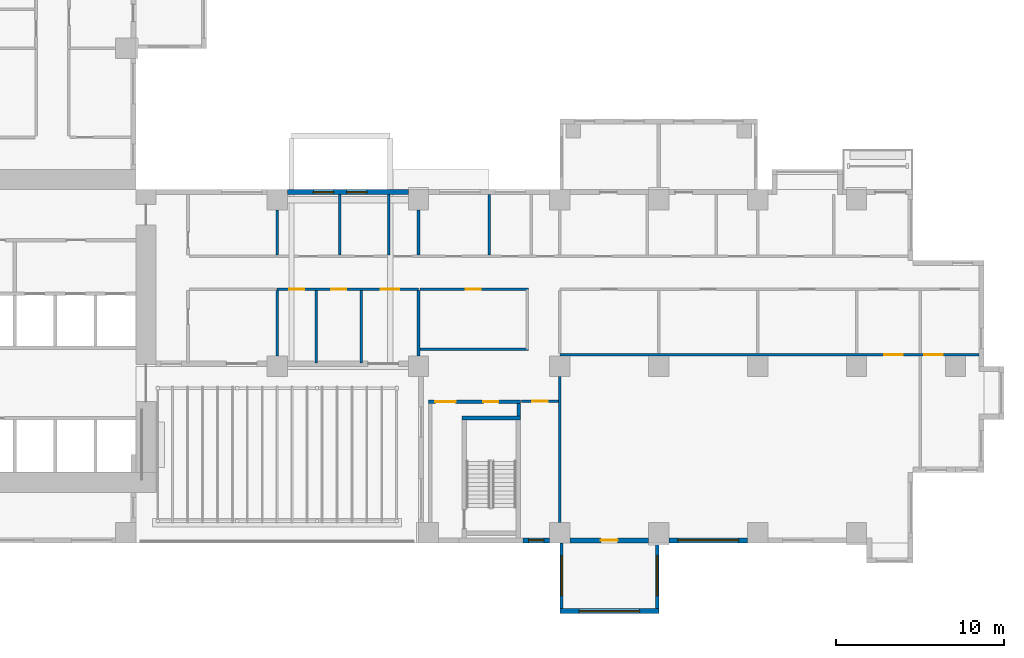
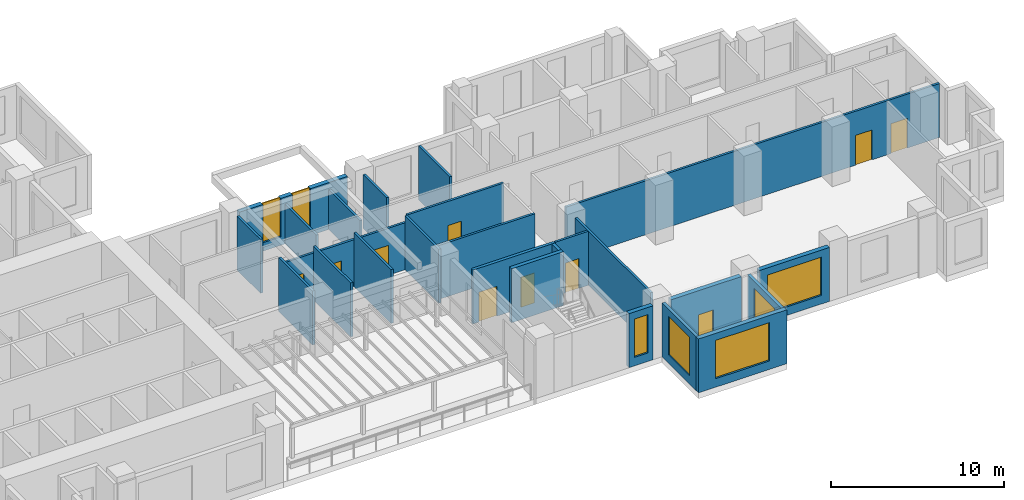
# One storey, part 6 of 17: 25 walls, 10 doors, 7 windows, 17 openings.
"""IFC4 building model written with IfcOpenShell, lengths in metres."""

import ifcopenshell
import ifcopenshell.guid

model = None  # the IFC model being written
_history = None  # IfcOwnerHistory: only IFC2X3 demands one
_inside = {}  # id of a spatial element -> (the spatial element, [elements in it])
_under = {}  # id of a project, library or spatial element -> (it, [spatial elements below it])
_declared = {}  # id of a project -> (the project, [libraries it declares])
_typed = {}  # id of a type object -> (the type object, [elements of that type])
_made_of = {}  # id of a material, layer set ... -> (it, [elements and type objects made of it])


def new_model(schema):
    """Start an empty IFC model of exactly this schema.

    Asked for "IFC4X3", IfcOpenShell would pick the latest addendum, in which some entities
    have other attributes; the version numbers below select the first issue.
    IFC2X3 requires an IfcOwnerHistory on every rooted entity: one is made here for all.
    """
    global model, _history
    if schema == "IFC4X3":
        model = ifcopenshell.file(schema_version=(4, 3, 0, 0))
    else:
        model = ifcopenshell.file(schema=schema)
    _inside.clear()
    _under.clear()
    _declared.clear()
    _typed.clear()
    _made_of.clear()
    _history = None
    if model.schema == "IFC2X3":
        org = make("IfcOrganization", Name="unknown")
        user = make(
            "IfcPersonAndOrganization",
            ThePerson=make("IfcPerson", FamilyName="unknown"),
            TheOrganization=org,
        )
        app = make(
            "IfcApplication",
            ApplicationDeveloper=org,
            Version="unknown",
            ApplicationFullName="unknown",
            ApplicationIdentifier="unknown",
        )
        _history = make(
            "IfcOwnerHistory",
            OwningUser=user,
            OwningApplication=app,
            ChangeAction="ADDED",
            CreationDate=0,
        )
    return model


def make(cls, **values):
    """One entity of the class cls with the attributes given. An attribute that is None is left unset."""
    return model.create_entity(
        cls, **{name: value for name, value in values.items() if value is not None}
    )


def rooted(cls, **values):
    """An entity with a GlobalId (a new one), such as an element, a storey or a relation."""
    return make(cls, GlobalId=ifcopenshell.guid.new(), OwnerHistory=_history, **values)


def si_unit(unit_type, name, prefix=None):
    """IfcSIUnit, for example si_unit("LENGTHUNIT", "METRE", prefix="MILLI")."""
    return make("IfcSIUnit", UnitType=unit_type, Prefix=prefix, Name=name)


def assignment(units):
    """IfcUnitAssignment: the units of a project."""
    return None if units is None else make("IfcUnitAssignment", Units=units)


def point(xyz):
    """IfcCartesianPoint."""
    return None if xyz is None else make("IfcCartesianPoint", Coordinates=xyz)


def direction(xyz):
    """IfcDirection."""
    return None if xyz is None else make("IfcDirection", DirectionRatios=xyz)


def frame(location, z_axis=None, x_axis=None):
    """IfcAxis2Placement3D, a coordinate frame: its origin and axes. An axis left out is left unset."""
    return make(
        "IfcAxis2Placement3D",
        Location=point(location),
        Axis=direction(z_axis),
        RefDirection=direction(x_axis),
    )


def frame_2d(location, x_axis=None):
    """IfcAxis2Placement2D, a coordinate frame in the plane: its origin and x axis."""
    return make(
        "IfcAxis2Placement2D", Location=point(location), RefDirection=direction(x_axis)
    )


def origin():
    """The frame at (0, 0, 0) with its axes left unset."""
    return frame((0.0, 0.0, 0.0))


def place(relative_to, where):
    """IfcLocalPlacement: puts the frame where relative to a parent placement (None: the world)."""
    return make(
        "IfcLocalPlacement", PlacementRelTo=relative_to, RelativePlacement=where
    )


def context(
    kind, dimensions, precision=None, world=None, true_north=None, identifier=None
):
    """IfcGeometricRepresentationContext, for example the 3D "Model" context."""
    return make(
        "IfcGeometricRepresentationContext",
        ContextIdentifier=identifier,
        ContextType=kind,
        CoordinateSpaceDimension=dimensions,
        Precision=precision,
        WorldCoordinateSystem=world,
        TrueNorth=true_north,
    )


def subcontext(parent, identifier, kind, view, scale=None):
    """IfcGeometricRepresentationSubContext, for example "Body" below "Model"."""
    return make(
        "IfcGeometricRepresentationSubContext",
        ContextIdentifier=identifier,
        ContextType=kind,
        ParentContext=parent,
        TargetScale=scale,
        TargetView=view,
    )


def project(units=None, contexts=None):
    """IfcProject with its units and contexts."""
    return rooted(
        "IfcProject",
        Name="project",
        RepresentationContexts=contexts,
        UnitsInContext=assignment(units),
    )


def spatial(cls, under=None, at=None, **own):
    """A site, building, storey or space (cls), placed at a placement, below another one or the project."""
    s = rooted(cls, ObjectPlacement=at, **own)
    if under is not None:
        _under.setdefault(under.id(), (under, []))[1].append(s)
    return s


def profile(cls, at=None, kind="AREA", **sizes):
    """A parametric profile (cls). Its sizes go by their IFC names, for example OverallWidth=200.0."""
    return make(cls, ProfileType=kind, Position=at, **sizes)


def rectangle(**sizes):
    """IfcRectangleProfileDef."""
    return profile("IfcRectangleProfileDef", **sizes)


def extrude(swept, where, along, depth):
    """IfcExtrudedAreaSolid: the profile swept, set in the frame where, extruded along a direction by depth."""
    return make(
        "IfcExtrudedAreaSolid",
        SweptArea=swept,
        Position=where,
        ExtrudedDirection=direction(along),
        Depth=depth,
    )


def shape(context_of_items, identifier, shape_type, items):
    """IfcShapeRepresentation: the items that make up one representation, for example the "Body"."""
    return make(
        "IfcShapeRepresentation",
        ContextOfItems=context_of_items,
        RepresentationIdentifier=identifier,
        RepresentationType=shape_type,
        Items=items,
    )


def source(mapping_origin, context_of_items, identifier, shape_type, items):
    """IfcRepresentationMap: a shape defined once, which mapped items show again and again."""
    return make(
        "IfcRepresentationMap",
        MappingOrigin=mapping_origin,
        MappedRepresentation=shape(context_of_items, identifier, shape_type, items),
    )


def transform(
    local_origin,
    x_axis=None,
    y_axis=None,
    z_axis=None,
    scale=None,
    scale2=None,
    scale3=None,
    uniform=True,
):
    """IfcCartesianTransformationOperator3D, or its non-uniform kind. x_axis, y_axis, z_axis: its Axis1, 2, 3."""
    if uniform:
        return make(
            "IfcCartesianTransformationOperator3D",
            Axis1=direction(x_axis),
            Axis2=direction(y_axis),
            LocalOrigin=point(local_origin),
            Scale=scale,
            Axis3=direction(z_axis),
        )
    return make(
        "IfcCartesianTransformationOperator3DnonUniform",
        Axis1=direction(x_axis),
        Axis2=direction(y_axis),
        LocalOrigin=point(local_origin),
        Scale=scale,
        Axis3=direction(z_axis),
        Scale2=scale2,
        Scale3=scale3,
    )


def mapped(mapping_source, mapping_target):
    """IfcMappedItem: shows the shape of a source again, moved by a transform."""
    return make(
        "IfcMappedItem", MappingSource=mapping_source, MappingTarget=mapping_target
    )


def material(Name=None, Category=None):
    """IfcMaterial."""
    return make("IfcMaterial", Name=Name, Category=Category)


def layer(
    of_material, thickness, ventilated=None, Name=None, Category=None, Priority=None
):
    """IfcMaterialLayer: one layer of a wall or slab, of a material (None: an air gap)."""
    return make(
        "IfcMaterialLayer",
        Material=of_material,
        LayerThickness=thickness,
        IsVentilated=ventilated,
        Name=Name,
        Category=Category,
        Priority=Priority,
    )


def layer_set(layers, Name=None):
    """IfcMaterialLayerSet."""
    return make("IfcMaterialLayerSet", MaterialLayers=layers, LayerSetName=Name)


def made_of(thing, what):
    """Note that an element or type object is made of a material, layer set ...; save() writes the relation."""
    if what is not None:
        _made_of.setdefault(what.id(), (what, []))[1].append(thing)
    return thing


def type_object(cls, material=None, **own):
    """A type object (cls), such as IfcWallType, which elements share."""
    return made_of(rooted(cls, **own), material)


def element(
    cls,
    number,
    at=None,
    inside=None,
    cuts=None,
    type_object=None,
    material=None,
    context=None,
    identifier="Body",
    shape_type=None,
    held_by="IfcProductDefinitionShape",
    body=None,
    shapes=None,
    **own,
):
    """One element of the class cls, such as IfcWall. Its Tag is "e" and its number.

    at: its placement. inside: the storey or other place that contains it. cuts: it is an
    opening in that element (IfcRelVoidsElement). A single representation is given by context,
    identifier, shape_type and body (its items); several are given by shapes. held_by: the class
    of the entity that holds the representations. save() writes the other relations.
    """
    e = rooted(cls, Tag="e%d" % number, ObjectPlacement=at, **own)
    if body is not None:
        shapes = [shape(context, identifier, shape_type, body)]
    if shapes is not None:
        e.Representation = make(held_by, Representations=shapes)
    if inside is not None:
        _inside.setdefault(inside.id(), (inside, []))[1].append(e)
    if cuts is not None:
        rooted(
            "IfcRelVoidsElement", RelatingBuildingElement=cuts, RelatedOpeningElement=e
        )
    if type_object is not None:
        _typed.setdefault(type_object.id(), (type_object, []))[1].append(e)
    return made_of(e, material)


def fill(opening, filler):
    """IfcRelFillsElement: the door or window that sits in an opening."""
    return rooted(
        "IfcRelFillsElement",
        RelatingOpeningElement=opening,
        RelatedBuildingElement=filler,
    )


def aggregate(whole, parts):
    """IfcRelAggregates: a whole, such as a stair, and the parts it consists of."""
    return rooted("IfcRelAggregates", RelatingObject=whole, RelatedObjects=parts)


def save(model, path):
    """Write the relations noted so far, then the file.

    IfcRelAggregates (storeys below a building ...), IfcRelContainedInSpatialStructure (elements
    in a storey), IfcRelDefinesByType, IfcRelAssociatesMaterial and IfcRelDeclares: one each for
    every whole, place, type object, material and project.
    """
    for whole, parts in _under.values():
        aggregate(whole, parts)
    for where, things in _inside.values():
        rooted(
            "IfcRelContainedInSpatialStructure",
            RelatedElements=things,
            RelatingStructure=where,
        )
    for kind, things in _typed.values():
        rooted("IfcRelDefinesByType", RelatedObjects=things, RelatingType=kind)
    for what, things in _made_of.values():
        rooted("IfcRelAssociatesMaterial", RelatedObjects=things, RelatingMaterial=what)
    for by, libraries in _declared.values():
        rooted("IfcRelDeclares", RelatingContext=by, RelatedDefinitions=libraries)
    model.write(path)


model = new_model("IFC4")

# Units and contexts
model_context = context("Model", 3, precision=1e-05, world=origin(), true_north=direction((0.0, 1.0)))
body_context = subcontext(model_context, "Body", "Model", "MODEL_VIEW")
ifc_project = project(units=[si_unit("LENGTHUNIT", "METRE"), si_unit("AREAUNIT", "SQUARE_METRE"), si_unit("VOLUMEUNIT", "CUBIC_METRE"), si_unit("PLANEANGLEUNIT", "RADIAN"), si_unit("MASSUNIT", "GRAM", prefix="KILO")], contexts=[model_context])

# Site, building, storey
site_placement = place(None, origin())
site = spatial("IfcSite", under=ifc_project, at=site_placement, CompositionType="ELEMENT")
building_placement = place(site_placement, origin())
building = spatial("IfcBuilding", under=site, at=building_placement, Name="Aurelian Terraces", CompositionType="ELEMENT")
storey_placement = place(building_placement, frame((0.0, 0.0, 48.9)))
storey = spatial("IfcBuildingStorey", under=building, at=storey_placement, Name="L09", CompositionType="ELEMENT", Elevation=48.9)

# Wall, opening, window
ifc_material_1 = material(Name="Concrete fc' 40 MPa", Category="concrete")
ifc_layer_1 = layer(ifc_material_1, 0.2)
ifc_layer_set_1 = layer_set([ifc_layer_1], Name="BOX BEARING WALL 200")
wall_type_1 = type_object("IfcWallType", Name="BOX BEARING WALL 200", PredefinedType="SOLIDWALL", material=ifc_layer_set_1)
wall_1_placement = place(storey_placement, frame((46.3, 0.0, 0.0), z_axis=(0.0, 0.0, 1.0), x_axis=(0.0, -1.0, 0.0)))
wall_1 = element("IfcWall", 1, at=wall_1_placement, inside=storey, type_object=wall_type_1, Name="Box return L09 J01.1", PredefinedType="SOLIDWALL", context=body_context, shape_type="SweptSolid", body=[
    extrude(rectangle(XDim=3.9, YDim=0.2, at=frame_2d((1.95, 0.0))), origin(), (0.0, 0.0, 1.0), 3.8),
])
shared_shape_1 = source(origin(), body_context, "Body", "SweptSolid", [
    extrude(rectangle(XDim=2.4, YDim=2.7, at=frame_2d((1.2, 1.35))), frame((0.0, 0.11, 0.0), z_axis=(0.0, -1.0, 0.0), x_axis=(1.0, 0.0, 0.0)), (0.0, 0.0, 1.0), 0.22),
])
opening_1_placement = place(wall_1_placement, frame((0.75, 0.0, 0.6)))
opening_1 = element("IfcOpeningElement", 2, at=opening_1_placement, cuts=wall_1, Name="Opening W2427", PredefinedType="OPENING", context=body_context, shape_type="MappedRepresentation", body=[
    mapped(shared_shape_1, transform((0.0, 0.0, 0.0), scale=1.0)),
])
ifc_material_2 = material(Name="Clear glazing", Category="glass")
window_type_1 = type_object("IfcWindowType", Name="W-2400x2700", PartitioningType="SINGLE_PANEL", PredefinedType="WINDOW", material=ifc_material_2)
shared_shape_2 = source(origin(), body_context, "Body", "SweptSolid", [
    extrude(rectangle(XDim=2.4, YDim=2.7, at=frame_2d((1.2, 1.35))), frame((0.0, 0.03, 0.0), z_axis=(0.0, -1.0, 0.0), x_axis=(1.0, 0.0, 0.0)), (0.0, 0.0, 1.0), 0.06),
])
window_1_placement = place(opening_1_placement, origin())
window_1 = element("IfcWindow", 3, at=window_1_placement, inside=storey, type_object=window_type_1, Name="Window L09 J01-S1", OverallHeight=2.7, OverallWidth=2.4, PartitioningType="SINGLE_PANEL", PredefinedType="WINDOW", context=body_context, shape_type="MappedRepresentation", body=[
    mapped(shared_shape_2, transform((0.0, 0.0, 0.0), scale=1.0)),
])
fill(opening_1, window_1)

ifc_layer_2 = layer(ifc_material_1, 0.3)
ifc_layer_set_2 = layer_set([ifc_layer_2], Name="BOX BEARING WALL 300")
wall_type_2 = type_object("IfcWallType", Name="BOX BEARING WALL 300", PredefinedType="SOLIDWALL", material=ifc_layer_set_2)
wall_2_placement = place(storey_placement, frame((46.2, -4.05, 0.0), z_axis=(0.0, 0.0, 1.0), x_axis=(1.0, 0.0, 0.0)))
wall_2 = element("IfcWall", 4, at=wall_2_placement, inside=storey, type_object=wall_type_2, Name="Box wall L09 J01", PredefinedType="SOLIDWALL", context=body_context, shape_type="SweptSolid", body=[
    extrude(rectangle(XDim=5.88, YDim=0.3, at=frame_2d((2.94, 0.0))), origin(), (0.0, 0.0, 1.0), 3.8),
])
shared_shape_3 = source(origin(), body_context, "Body", "SweptSolid", [
    extrude(rectangle(XDim=3.6, YDim=2.7, at=frame_2d((1.8, 1.35))), frame((0.0, 0.16, 0.0), z_axis=(0.0, -1.0, 0.0), x_axis=(1.0, 0.0, 0.0)), (0.0, 0.0, 1.0), 0.32),
])
opening_2_placement = place(wall_2_placement, frame((1.14, 0.0, 0.6)))
opening_2 = element("IfcOpeningElement", 5, at=opening_2_placement, cuts=wall_2, Name="Opening W3627", PredefinedType="OPENING", context=body_context, shape_type="MappedRepresentation", body=[
    mapped(shared_shape_3, transform((0.0, 0.0, 0.0), scale=1.0)),
])
window_type_2 = type_object("IfcWindowType", Name="W-3600x2700", PartitioningType="SINGLE_PANEL", PredefinedType="WINDOW", material=ifc_material_2)
shared_shape_4 = source(origin(), body_context, "Body", "SweptSolid", [
    extrude(rectangle(XDim=3.6, YDim=2.7, at=frame_2d((1.8, 1.35))), frame((0.0, 0.03, 0.0), z_axis=(0.0, -1.0, 0.0), x_axis=(1.0, 0.0, 0.0)), (0.0, 0.0, 1.0), 0.06),
])
window_2_placement = place(opening_2_placement, origin())
window_2 = element("IfcWindow", 6, at=window_2_placement, inside=storey, type_object=window_type_2, Name="Window L09 J01-F1", OverallHeight=2.7, OverallWidth=3.6, PartitioningType="SINGLE_PANEL", PredefinedType="WINDOW", context=body_context, shape_type="MappedRepresentation", body=[
    mapped(shared_shape_4, transform((0.0, 0.0, 0.0), scale=1.0)),
])
fill(opening_2, window_2)

# Wall, opening, door
ifc_material_3 = material(Name="Terracotta rainscreen cladding", Category="masonry")
ifc_layer_3 = layer(ifc_material_3, 0.3)
ifc_layer_set_3 = layer_set([ifc_layer_3], Name="EW-300")
wall_type_3 = type_object("IfcWallType", Name="EW-300", PredefinedType="STANDARD", material=ifc_layer_set_3)
shared_shape_5 = source(origin(), body_context, "Body", "SweptSolid", [
    extrude(rectangle(XDim=4.68, YDim=0.3, at=frame_2d((2.34, 0.0))), origin(), (0.0, 0.0, 1.0), 3.8),
])
wall_3_placement = place(storey_placement, frame((46.8, 0.15, 0.0), z_axis=(0.0, 0.0, 1.0), x_axis=(1.0, 0.0, 0.0)))
wall_3 = element("IfcWall", 7, at=wall_3_placement, inside=storey, type_object=wall_type_3, Name="External wall L09 F05.10", PredefinedType="STANDARD", context=body_context, shape_type="MappedRepresentation", body=[
    mapped(shared_shape_5, transform((0.0, 0.0, 0.0), scale=1.0)),
])
shared_shape_6 = source(origin(), body_context, "Body", "SweptSolid", [
    extrude(rectangle(XDim=1.0, YDim=2.1, at=frame_2d((0.5, 1.05))), frame((0.0, 0.16, 0.0), z_axis=(0.0, -1.0, 0.0), x_axis=(1.0, 0.0, 0.0)), (0.0, 0.0, 1.0), 0.32),
])
opening_3_placement = place(wall_3_placement, frame((1.84, 0.0, 0.0)))
opening_3 = element("IfcOpeningElement", 8, at=opening_3_placement, cuts=wall_3, Name="Opening 809001", PredefinedType="OPENING", context=body_context, shape_type="MappedRepresentation", body=[
    mapped(shared_shape_6, transform((0.0, 0.0, 0.0), scale=1.0)),
])
ifc_material_4 = material(Name="Timber door leaf", Category="wood")
door_type_1 = type_object("IfcDoorType", Name="Room door 1000x2100 left", OperationType="SINGLE_SWING_LEFT", PredefinedType="DOOR", material=ifc_material_4)
shared_shape_7 = source(origin(), body_context, "Body", "SweptSolid", [
    extrude(rectangle(XDim=1.0, YDim=2.1, at=frame_2d((0.5, 1.05))), frame((0.0, 0.025, 0.0), z_axis=(0.0, -1.0, 0.0), x_axis=(1.0, 0.0, 0.0)), (0.0, 0.0, 1.0), 0.05),
])
door_1_placement = place(opening_3_placement, origin())
door_1 = element("IfcDoor", 9, at=door_1_placement, inside=storey, type_object=door_type_1, Name="Door 809001", OperationType="SINGLE_SWING_LEFT", OverallHeight=2.1, OverallWidth=1.0, PredefinedType="DOOR", context=body_context, shape_type="MappedRepresentation", body=[
    mapped(shared_shape_7, transform((0.0, 0.0, 0.0), scale=1.0)),
])
fill(opening_3, door_1)

# Wall, opening, window
wall_4_placement = place(storey_placement, frame((52.68, 0.15, 0.0), z_axis=(0.0, 0.0, 1.0), x_axis=(1.0, 0.0, 0.0)))
wall_4 = element("IfcWall", 10, at=wall_4_placement, inside=storey, type_object=wall_type_3, Name="External wall L09 F05.11", PredefinedType="STANDARD", context=body_context, shape_type="MappedRepresentation", body=[
    mapped(shared_shape_5, transform((0.0, 0.0, 0.0), scale=1.0)),
])
opening_4_placement = place(wall_4_placement, frame((0.54, 0.0, 0.6)))
opening_4 = element("IfcOpeningElement", 11, at=opening_4_placement, cuts=wall_4, Name="Opening W3627", PredefinedType="OPENING", context=body_context, shape_type="MappedRepresentation", body=[
    mapped(shared_shape_3, transform((0.0, 0.0, 0.0), scale=1.0)),
])
window_3_placement = place(opening_4_placement, origin())
window_3 = element("IfcWindow", 12, at=window_3_placement, inside=storey, type_object=window_type_2, Name="Window L09 L09-F05-11-0", OverallHeight=2.7, OverallWidth=3.6, PartitioningType="SINGLE_PANEL", PredefinedType="WINDOW", context=body_context, shape_type="MappedRepresentation", body=[
    mapped(shared_shape_4, transform((0.0, 0.0, 0.0), scale=1.0)),
])
fill(opening_4, window_3)

shared_shape_8 = source(origin(), body_context, "Body", "SweptSolid", [
    extrude(rectangle(XDim=1.6, YDim=0.3, at=frame_2d((0.8, 0.0))), origin(), (0.0, 0.0, 1.0), 3.8),
])
wall_5_placement = place(storey_placement, frame((44.0, 0.15, 0.0), z_axis=(0.0, 0.0, 1.0), x_axis=(1.0, 0.0, 0.0)))
wall_5 = element("IfcWall", 13, at=wall_5_placement, inside=storey, type_object=wall_type_3, Name="External wall L09 F05.9", PredefinedType="STANDARD", context=body_context, shape_type="MappedRepresentation", body=[
    mapped(shared_shape_8, transform((0.0, 0.0, 0.0), scale=1.0)),
])
shared_shape_9 = source(origin(), body_context, "Body", "SweptSolid", [
    extrude(rectangle(XDim=0.9, YDim=2.7, at=frame_2d((0.45, 1.35))), frame((0.0, 0.16, 0.0), z_axis=(0.0, -1.0, 0.0), x_axis=(1.0, 0.0, 0.0)), (0.0, 0.0, 1.0), 0.32),
])
opening_5_placement = place(wall_5_placement, frame((0.35, 0.0, 0.6)))
opening_5 = element("IfcOpeningElement", 14, at=opening_5_placement, cuts=wall_5, Name="Opening W0927", PredefinedType="OPENING", context=body_context, shape_type="MappedRepresentation", body=[
    mapped(shared_shape_9, transform((0.0, 0.0, 0.0), scale=1.0)),
])
window_type_3 = type_object("IfcWindowType", Name="W-900x2700", PartitioningType="SINGLE_PANEL", PredefinedType="WINDOW", material=ifc_material_2)
shared_shape_10 = source(origin(), body_context, "Body", "SweptSolid", [
    extrude(rectangle(XDim=0.9, YDim=2.7, at=frame_2d((0.45, 1.35))), frame((0.0, 0.03, 0.0), z_axis=(0.0, -1.0, 0.0), x_axis=(1.0, 0.0, 0.0)), (0.0, 0.0, 1.0), 0.06),
])
window_4_placement = place(opening_5_placement, origin())
window_4 = element("IfcWindow", 15, at=window_4_placement, inside=storey, type_object=window_type_3, Name="Window L09 L09-F05-09-P2", OverallHeight=2.7, OverallWidth=0.9, PartitioningType="SINGLE_PANEL", PredefinedType="WINDOW", context=body_context, shape_type="MappedRepresentation", body=[
    mapped(shared_shape_10, transform((0.0, 0.0, 0.0), scale=1.0)),
])
fill(opening_5, window_4)

# Wall, openings, windows
shared_shape_11 = source(origin(), body_context, "Body", "SweptSolid", [
    extrude(rectangle(XDim=7.2, YDim=0.3, at=frame_2d((3.6, 0.0))), origin(), (0.0, 0.0, 1.0), 3.3),
])
wall_6_placement = place(storey_placement, frame((37.2, 20.85, 0.0), z_axis=(0.0, 0.0, 1.0), x_axis=(-1.0, 0.0, 0.0)))
wall_6 = element("IfcWall", 16, at=wall_6_placement, inside=storey, type_object=wall_type_3, Name="External wall L09 F11.25", PredefinedType="STANDARD", context=body_context, shape_type="MappedRepresentation", body=[
    mapped(shared_shape_11, transform((0.0, 0.0, 0.0), scale=1.0)),
])
shared_shape_12 = source(origin(), body_context, "Body", "SweptSolid", [
    extrude(rectangle(XDim=1.2, YDim=2.7, at=frame_2d((0.6, 1.35))), frame((0.0, 0.16, 0.0), z_axis=(0.0, -1.0, 0.0), x_axis=(1.0, 0.0, 0.0)), (0.0, 0.0, 1.0), 0.32),
])
opening_6_placement = place(wall_6_placement, frame((2.466, 0.0, 0.6)))
opening_6 = element("IfcOpeningElement", 17, at=opening_6_placement, cuts=wall_6, Name="Opening W1227", PredefinedType="OPENING", context=body_context, shape_type="MappedRepresentation", body=[
    mapped(shared_shape_12, transform((0.0, 0.0, 0.0), scale=1.0)),
])
opening_7_placement = place(wall_6_placement, frame((4.441, 0.0, 0.6)))
opening_7 = element("IfcOpeningElement", 18, at=opening_7_placement, cuts=wall_6, Name="Opening W1227", PredefinedType="OPENING", context=body_context, shape_type="MappedRepresentation", body=[
    mapped(shared_shape_12, transform((0.0, 0.0, 0.0), scale=1.0)),
])
window_type_4 = type_object("IfcWindowType", Name="W-1200x2700", PartitioningType="SINGLE_PANEL", PredefinedType="WINDOW", material=ifc_material_2)
shared_shape_13 = source(origin(), body_context, "Body", "SweptSolid", [
    extrude(rectangle(XDim=1.2, YDim=2.7, at=frame_2d((0.6, 1.35))), frame((0.0, 0.03, 0.0), z_axis=(0.0, -1.0, 0.0), x_axis=(1.0, 0.0, 0.0)), (0.0, 0.0, 1.0), 0.06),
])
window_5_placement = place(opening_6_placement, origin())
window_5 = element("IfcWindow", 19, at=window_5_placement, inside=storey, type_object=window_type_4, Name="Window L09 L09-F11-25-2.1", OverallHeight=2.7, OverallWidth=1.2, PartitioningType="SINGLE_PANEL", PredefinedType="WINDOW", context=body_context, shape_type="MappedRepresentation", body=[
    mapped(shared_shape_13, transform((0.0, 0.0, 0.0), scale=1.0)),
])
fill(opening_6, window_5)
window_6_placement = place(opening_7_placement, origin())
window_6 = element("IfcWindow", 20, at=window_6_placement, inside=storey, type_object=window_type_4, Name="Window L09 L09-F11-25-2.2", OverallHeight=2.7, OverallWidth=1.2, PartitioningType="SINGLE_PANEL", PredefinedType="WINDOW", context=body_context, shape_type="MappedRepresentation", body=[
    mapped(shared_shape_13, transform((0.0, 0.0, 0.0), scale=1.0)),
])
fill(opening_7, window_6)

# Wall, opening, window
shared_shape_14 = source(origin(), body_context, "Body", "SweptSolid", [
    extrude(rectangle(XDim=3.9, YDim=0.2, at=frame_2d((1.95, 0.0))), origin(), (0.0, 0.0, 1.0), 3.8),
])
wall_7_placement = place(storey_placement, frame((51.98, 0.0, 0.0), z_axis=(0.0, 0.0, 1.0), x_axis=(0.0, -1.0, 0.0)))
wall_7 = element("IfcWall", 21, at=wall_7_placement, inside=storey, type_object=wall_type_1, Name="Box return L09 J01.2", PredefinedType="SOLIDWALL", context=body_context, shape_type="MappedRepresentation", body=[
    mapped(shared_shape_14, transform((0.0, 0.0, 0.0), scale=1.0)),
])
opening_8_placement = place(wall_7_placement, frame((0.75, 0.0, 0.6)))
opening_8 = element("IfcOpeningElement", 22, at=opening_8_placement, cuts=wall_7, Name="Opening W2427", PredefinedType="OPENING", context=body_context, shape_type="MappedRepresentation", body=[
    mapped(shared_shape_1, transform((0.0, 0.0, 0.0), scale=1.0)),
])
window_7_placement = place(opening_8_placement, origin())
window_7 = element("IfcWindow", 23, at=window_7_placement, inside=storey, type_object=window_type_1, Name="Window L09 J01-S2", OverallHeight=2.7, OverallWidth=2.4, PartitioningType="SINGLE_PANEL", PredefinedType="WINDOW", context=body_context, shape_type="MappedRepresentation", body=[
    mapped(shared_shape_2, transform((0.0, 0.0, 0.0), scale=1.0)),
])
fill(opening_8, window_7)

# Wall
ifc_layer_4 = layer(ifc_material_1, 0.25)
ifc_layer_set_4 = layer_set([ifc_layer_4], Name="Stair enclosure wall 250")
wall_type_4 = type_object("IfcWallType", Name="Stair enclosure wall 250", PredefinedType="SOLIDWALL", material=ifc_layer_set_4)
shared_shape_15 = source(origin(), body_context, "Body", "SweptSolid", [
    extrude(rectangle(XDim=3.45, YDim=0.25, at=frame_2d((1.725, 0.0))), origin(), (0.0, 0.0, 1.0), 3.8),
])
wall_8_placement = place(storey_placement, frame((40.4, 7.425, 0.0), z_axis=(0.0, 0.0, 1.0), x_axis=(1.0, 0.0, 0.0)))
element("IfcWall", 24, at=wall_8_placement, inside=storey, type_object=wall_type_4, Name="L09 core wall ST-S2-N", PredefinedType="SOLIDWALL", context=body_context, shape_type="MappedRepresentation", body=[
    mapped(shared_shape_15, transform((0.0, 0.0, 0.0), scale=1.0)),
])

# Wall, openings, doors
ifc_material_5 = material(Name="Gypsum board on steel studs", Category="steel")
ifc_layer_5 = layer(ifc_material_5, 0.2)
ifc_layer_set_5 = layer_set([ifc_layer_5], Name="Core partition 200")
wall_type_5 = type_object("IfcWallType", Name="Core partition 200", PredefinedType="PARTITIONING", material=ifc_layer_set_5)
shared_shape_16 = source(origin(), body_context, "Body", "SweptSolid", [
    extrude(rectangle(XDim=5.45, YDim=0.2, at=frame_2d((2.725, 0.0))), origin(), (0.0, 0.0, 1.0), 3.8),
])
wall_9_placement = place(storey_placement, frame((38.4, 8.4, 0.0), z_axis=(0.0, 0.0, 1.0), x_axis=(1.0, 0.0, 0.0)))
wall_9 = element("IfcWall", 25, at=wall_9_placement, inside=storey, type_object=wall_type_5, Name="L09 core wall ST-S2-BN", PredefinedType="PARTITIONING", context=body_context, shape_type="MappedRepresentation", body=[
    mapped(shared_shape_16, transform((0.0, 0.0, 0.0), scale=1.0)),
])
shared_shape_17 = source(origin(), body_context, "Body", "SweptSolid", [
    extrude(rectangle(XDim=1.2, YDim=2.1, at=frame_2d((0.6, 1.05))), frame((0.0, 0.11, 0.0), z_axis=(0.0, -1.0, 0.0), x_axis=(1.0, 0.0, 0.0)), (0.0, 0.0, 1.0), 0.22),
])
opening_9_placement = place(wall_9_placement, frame((0.4, 0.0, 0.0)))
opening_9 = element("IfcOpeningElement", 26, at=opening_9_placement, cuts=wall_9, Name="Opening 61215", PredefinedType="OPENING", context=body_context, shape_type="MappedRepresentation", body=[
    mapped(shared_shape_17, transform((0.0, 0.0, 0.0), scale=1.0)),
])
shared_shape_18 = source(origin(), body_context, "Body", "SweptSolid", [
    extrude(rectangle(XDim=0.9, YDim=2.1, at=frame_2d((0.45, 1.05))), frame((0.0, 0.11, 0.0), z_axis=(0.0, -1.0, 0.0), x_axis=(1.0, 0.0, 0.0)), (0.0, 0.0, 1.0), 0.22),
])
opening_10_placement = place(wall_9_placement, frame((3.25, 0.0, 0.0)))
opening_10 = element("IfcOpeningElement", 27, at=opening_10_placement, cuts=wall_9, Name="Opening 61216", PredefinedType="OPENING", context=body_context, shape_type="MappedRepresentation", body=[
    mapped(shared_shape_18, transform((0.0, 0.0, 0.0), scale=1.0)),
])
ifc_material_6 = material(Name="Steel door leaf", Category="steel")
door_type_2 = type_object("IfcDoorType", Name="Core riser door 900x2100", OperationType="SINGLE_SWING_LEFT", PredefinedType="DOOR", material=ifc_material_6)
shared_shape_19 = source(origin(), body_context, "Body", "SweptSolid", [
    extrude(rectangle(XDim=0.9, YDim=2.1, at=frame_2d((0.45, 1.05))), frame((0.0, 0.025, 0.0), z_axis=(0.0, -1.0, 0.0), x_axis=(1.0, 0.0, 0.0)), (0.0, 0.0, 1.0), 0.05),
])
door_2_placement = place(opening_10_placement, origin())
door_2 = element("IfcDoor", 28, at=door_2_placement, inside=storey, type_object=door_type_2, Name="Riser door 61216", OperationType="SINGLE_SWING_LEFT", OverallHeight=2.1, OverallWidth=0.9, PredefinedType="DOOR", context=body_context, shape_type="MappedRepresentation", body=[
    mapped(shared_shape_19, transform((0.0, 0.0, 0.0), scale=1.0)),
])
fill(opening_10, door_2)
door_type_3 = type_object("IfcDoorType", Name="Core fire door 1200x2100 right", OperationType="SINGLE_SWING_RIGHT", PredefinedType="DOOR", material=ifc_material_6)
shared_shape_20 = source(origin(), body_context, "Body", "SweptSolid", [
    extrude(rectangle(XDim=1.2, YDim=2.1, at=frame_2d((0.6, 1.05))), frame((0.0, 0.025, 0.0), z_axis=(0.0, -1.0, 0.0), x_axis=(1.0, 0.0, 0.0)), (0.0, 0.0, 1.0), 0.05),
])
door_3_placement = place(opening_9_placement, origin())
door_3 = element("IfcDoor", 29, at=door_3_placement, inside=storey, type_object=door_type_3, Name="Vestibule door 61215", OperationType="SINGLE_SWING_RIGHT", OverallHeight=2.1, OverallWidth=1.2, PredefinedType="DOOR", context=body_context, shape_type="MappedRepresentation", body=[
    mapped(shared_shape_20, transform((0.0, 0.0, 0.0), scale=1.0)),
])
fill(opening_9, door_3)

# Walls
shared_shape_21 = source(origin(), body_context, "Body", "SweptSolid", [
    extrude(rectangle(XDim=0.75, YDim=0.2, at=frame_2d((0.375, 0.0))), origin(), (0.0, 0.0, 1.0), 3.8),
])
wall_10_placement = place(storey_placement, frame((43.75, 7.55, 0.0), z_axis=(0.0, 0.0, 1.0), x_axis=(0.0, 1.0, 0.0)))
element("IfcWall", 30, at=wall_10_placement, inside=storey, type_object=wall_type_5, Name="L09 core wall ST-S2-RE", PredefinedType="PARTITIONING", context=body_context, shape_type="MappedRepresentation", body=[
    mapped(shared_shape_21, transform((0.0, 0.0, 0.0), scale=1.0)),
])
ifc_layer_6 = layer(ifc_material_5, 0.15)
ifc_layer_set_6 = layer_set([ifc_layer_6], Name="Partition 150")
wall_type_6 = type_object("IfcWallType", Name="Partition 150", PredefinedType="PARTITIONING", material=ifc_layer_set_6)
shared_shape_22 = source(origin(), body_context, "Body", "SweptSolid", [
    extrude(rectangle(XDim=6.45, YDim=0.15, at=frame_2d((3.225, 0.0))), origin(), (0.0, 0.0, 1.0), 3.8),
])
wall_11_placement = place(storey_placement, frame((37.875, 11.5, 0.0), z_axis=(0.0, 0.0, 1.0), x_axis=(1.0, 0.0, 0.0)))
element("IfcWall", 31, at=wall_11_placement, inside=storey, type_object=wall_type_6, Name="Partition", PredefinedType="PARTITIONING", context=body_context, shape_type="MappedRepresentation", body=[
    mapped(shared_shape_22, transform((0.0, 0.0, 0.0), scale=1.0)),
])

# Wall, opening, door
ifc_layer_7 = layer(ifc_material_5, 0.15)
ifc_layer_set_7 = layer_set([ifc_layer_7], Name="Fire partition 150")
wall_type_7 = type_object("IfcWallType", Name="Fire partition 150", PredefinedType="PARTITIONING", material=ifc_layer_set_7)
wall_12_placement = place(storey_placement, frame((44.325, 15.075, 0.0), z_axis=(0.0, 0.0, 1.0), x_axis=(-1.0, 0.0, 0.0)))
wall_12 = element("IfcWall", 32, at=wall_12_placement, inside=storey, type_object=wall_type_7, Name="Corridor wall", PredefinedType="PARTITIONING", context=body_context, shape_type="MappedRepresentation", body=[
    mapped(shared_shape_22, transform((0.0, 0.0, 0.0), scale=1.0)),
])
shared_shape_23 = source(origin(), body_context, "Body", "SweptSolid", [
    extrude(rectangle(XDim=0.9, YDim=2.1, at=frame_2d((0.45, 1.05))), frame((0.0, 0.085, 0.0), z_axis=(0.0, -1.0, 0.0), x_axis=(1.0, 0.0, 0.0)), (0.0, 0.0, 1.0), 0.17),
])
opening_11_placement = place(wall_12_placement, frame((2.8125, 0.0, 0.0)))
opening_11 = element("IfcOpeningElement", 33, at=opening_11_placement, cuts=wall_12, Name="Opening 709003", PredefinedType="OPENING", context=body_context, shape_type="MappedRepresentation", body=[
    mapped(shared_shape_23, transform((0.0, 0.0, 0.0), scale=1.0)),
])
door_type_4 = type_object("IfcDoorType", Name="Room door 900x2100 left", OperationType="SINGLE_SWING_LEFT", PredefinedType="DOOR", material=ifc_material_4)
door_4_placement = place(opening_11_placement, origin())
door_4 = element("IfcDoor", 34, at=door_4_placement, inside=storey, type_object=door_type_4, Name="Door 709003", OperationType="SINGLE_SWING_LEFT", OverallHeight=2.1, OverallWidth=0.9, PredefinedType="DOOR", context=body_context, shape_type="MappedRepresentation", body=[
    mapped(shared_shape_19, transform((0.0, 0.0, 0.0), scale=1.0)),
])
fill(opening_11, door_4)

# Walls
shared_shape_24 = source(origin(), body_context, "Body", "SweptSolid", [
    extrude(rectangle(XDim=8.702, YDim=0.15, at=frame_2d((4.351, 0.0))), origin(), (0.0, 0.0, 1.0), 3.8),
])
wall_13_placement = place(storey_placement, frame((46.2, 1.199, 0.0), z_axis=(0.0, 0.0, 1.0), x_axis=(0.0, 1.0, 0.0)))
element("IfcWall", 35, at=wall_13_placement, inside=storey, type_object=wall_type_6, Name="Partition", PredefinedType="PARTITIONING", context=body_context, shape_type="MappedRepresentation", body=[
    mapped(shared_shape_24, transform((0.0, 0.0, 0.0), scale=1.0)),
])
shared_shape_25 = source(origin(), body_context, "Body", "SweptSolid", [
    extrude(rectangle(XDim=3.6, YDim=0.15, at=frame_2d((1.8, 0.0))), origin(), (0.0, 0.0, 1.0), 3.8),
])
wall_14_placement = place(storey_placement, frame((42.0, 17.1, 0.0), z_axis=(0.0, 0.0, 1.0), x_axis=(0.0, 1.0, 0.0)))
element("IfcWall", 36, at=wall_14_placement, inside=storey, type_object=wall_type_6, Name="Partition", PredefinedType="PARTITIONING", context=body_context, shape_type="MappedRepresentation", body=[
    mapped(shared_shape_25, transform((0.0, 0.0, 0.0), scale=1.0)),
])
shared_shape_26 = source(origin(), body_context, "Body", "SweptSolid", [
    extrude(rectangle(XDim=2.701, YDim=0.15, at=frame_2d((1.3505, 0.0))), origin(), (0.0, 0.0, 1.0), 3.8),
])
for number, where, z_axis, x_axis, name in (
    (37, (29.4, 17.1, 0.0), (0.0, 0.0, 1.0), (0.0, 1.0, 0.0), "Partition"),
    (38, (37.8, 17.1, 0.0), (0.0, 0.0, 1.0), (0.0, 1.0, 0.0), "Partition"),
):
    element("IfcWall", number, at=place(storey_placement, frame(where, z_axis=z_axis, x_axis=x_axis)), inside=storey, type_object=wall_type_6, Name=name, PredefinedType="PARTITIONING", context=body_context, shape_type="MappedRepresentation", body=[
        mapped(shared_shape_26, transform((0.0, 0.0, 0.0), scale=1.0)),
    ])

# Wall, openings, doors
shared_shape_27 = source(origin(), body_context, "Body", "SweptSolid", [
    extrude(rectangle(XDim=24.9, YDim=0.15, at=frame_2d((12.45, 0.0))), origin(), (0.0, 0.0, 1.0), 3.8),
])
wall_15_placement = place(storey_placement, frame((71.1, 11.175, 0.0), z_axis=(0.0, 0.0, 1.0), x_axis=(-1.0, 0.0, 0.0)))
wall_15 = element("IfcWall", 39, at=wall_15_placement, inside=storey, type_object=wall_type_6, Name="Partition", PredefinedType="PARTITIONING", context=body_context, shape_type="MappedRepresentation", body=[
    mapped(shared_shape_27, transform((0.0, 0.0, 0.0), scale=1.0)),
])
shared_shape_28 = source(origin(), body_context, "Body", "SweptSolid", [
    extrude(rectangle(XDim=1.1, YDim=2.1, at=frame_2d((0.55, 1.05))), frame((0.0, 0.085, 0.0), z_axis=(0.0, -1.0, 0.0), x_axis=(1.0, 0.0, 0.0)), (0.0, 0.0, 1.0), 0.17),
])
opening_12_placement = place(wall_15_placement, frame((4.5075, 0.0, 0.0)))
opening_12 = element("IfcOpeningElement", 40, at=opening_12_placement, cuts=wall_15, Name="Opening 709009", PredefinedType="OPENING", context=body_context, shape_type="MappedRepresentation", body=[
    mapped(shared_shape_28, transform((0.0, 0.0, 0.0), scale=1.0)),
])
opening_13_placement = place(wall_15_placement, frame((2.1425, 0.0, 0.0)))
opening_13 = element("IfcOpeningElement", 41, at=opening_13_placement, cuts=wall_15, Name="Opening 709014", PredefinedType="OPENING", context=body_context, shape_type="MappedRepresentation", body=[
    mapped(shared_shape_28, transform((0.0, 0.0, 0.0), scale=1.0)),
])
door_type_5 = type_object("IfcDoorType", Name="Room door 1100x2100 left", OperationType="SINGLE_SWING_LEFT", PredefinedType="DOOR", material=ifc_material_4)
shared_shape_29 = source(origin(), body_context, "Body", "SweptSolid", [
    extrude(rectangle(XDim=1.1, YDim=2.1, at=frame_2d((0.55, 1.05))), frame((0.0, 0.025, 0.0), z_axis=(0.0, -1.0, 0.0), x_axis=(1.0, 0.0, 0.0)), (0.0, 0.0, 1.0), 0.05),
])
door_5_placement = place(opening_12_placement, origin())
door_5 = element("IfcDoor", 42, at=door_5_placement, inside=storey, type_object=door_type_5, Name="Door 709009", OperationType="SINGLE_SWING_LEFT", OverallHeight=2.1, OverallWidth=1.1, PredefinedType="DOOR", context=body_context, shape_type="MappedRepresentation", body=[
    mapped(shared_shape_29, transform((0.0, 0.0, 0.0), scale=1.0)),
])
fill(opening_12, door_5)
door_6_placement = place(opening_13_placement, origin())
door_6 = element("IfcDoor", 43, at=door_6_placement, inside=storey, type_object=door_type_5, Name="Door 709014", OperationType="SINGLE_SWING_LEFT", OverallHeight=2.1, OverallWidth=1.1, PredefinedType="DOOR", context=body_context, shape_type="MappedRepresentation", body=[
    mapped(shared_shape_29, transform((0.0, 0.0, 0.0), scale=1.0)),
])
fill(opening_13, door_6)

# Walls
shared_shape_30 = source(origin(), body_context, "Body", "SweptSolid", [
    extrude(rectangle(XDim=3.901, YDim=0.15, at=frame_2d((1.9505, 0.0))), origin(), (0.0, 0.0, 1.0), 3.8),
])
for number, where, z_axis, x_axis, name in (
    (44, (29.4, 11.099, 0.0), (0.0, 0.0, 1.0), (0.0, 1.0, 0.0), "Partition"),
    (45, (37.8, 11.099, 0.0), (0.0, 0.0, 1.0), (0.0, 1.0, 0.0), "Partition"),
):
    element("IfcWall", number, at=place(storey_placement, frame(where, z_axis=z_axis, x_axis=x_axis)), inside=storey, type_object=wall_type_6, Name=name, PredefinedType="PARTITIONING", context=body_context, shape_type="MappedRepresentation", body=[
        mapped(shared_shape_30, transform((0.0, 0.0, 0.0), scale=1.0)),
    ])

# Wall, opening, door
shared_shape_31 = source(origin(), body_context, "Body", "SweptSolid", [
    extrude(rectangle(XDim=2.2, YDim=0.15, at=frame_2d((1.1, 0.0))), origin(), (0.0, 0.0, 1.0), 3.8),
])
wall_16_placement = place(storey_placement, frame((46.125, 8.425, 0.0), z_axis=(0.0, 0.0, 1.0), x_axis=(-1.0, 0.0, 0.0)))
wall_16 = element("IfcWall", 46, at=wall_16_placement, inside=storey, type_object=wall_type_6, Name="Partition", PredefinedType="PARTITIONING", context=body_context, shape_type="MappedRepresentation", body=[
    mapped(shared_shape_31, transform((0.0, 0.0, 0.0), scale=1.0)),
])
opening_14_placement = place(wall_16_placement, frame((0.65, 0.0, 0.0)))
opening_14 = element("IfcOpeningElement", 47, at=opening_14_placement, cuts=wall_16, Name="Opening 709004", PredefinedType="OPENING", context=body_context, shape_type="MappedRepresentation", body=[
    mapped(shared_shape_23, transform((0.0, 0.0, 0.0), scale=1.0)),
])
door_7_placement = place(opening_14_placement, origin())
door_7 = element("IfcDoor", 48, at=door_7_placement, inside=storey, type_object=door_type_4, Name="Door 709004", OperationType="SINGLE_SWING_LEFT", OverallHeight=2.1, OverallWidth=0.9, PredefinedType="DOOR", context=body_context, shape_type="MappedRepresentation", body=[
    mapped(shared_shape_19, transform((0.0, 0.0, 0.0), scale=1.0)),
])
fill(opening_14, door_7)

# Walls
shared_shape_32 = source(origin(), body_context, "Body", "SweptSolid", [
    extrude(rectangle(XDim=3.6, YDim=0.15, at=frame_2d((1.8, 0.0))), origin(), (0.0, 0.0, 1.0), 2.8),
])
for number, where, z_axis, x_axis, name in (
    (49, (33.1133, 20.7, 0.0), (0.0, 0.0, 1.0), (0.0, -1.0, 0.0), "Partition"),
    (50, (36.024, 20.7, 0.0), (0.0, 0.0, 1.0), (0.0, -1.0, 0.0), "Partition"),
):
    element("IfcWall", number, at=place(storey_placement, frame(where, z_axis=z_axis, x_axis=x_axis)), inside=storey, type_object=wall_type_6, Name=name, PredefinedType="PARTITIONING", context=body_context, shape_type="MappedRepresentation", body=[
        mapped(shared_shape_32, transform((0.0, 0.0, 0.0), scale=1.0)),
    ])

# Wall, openings, doors
shared_shape_33 = source(origin(), body_context, "Body", "SweptSolid", [
    extrude(rectangle(XDim=8.4, YDim=0.15, at=frame_2d((4.2, 0.0))), origin(), (0.0, 0.0, 1.0), 3.3),
])
wall_17_placement = place(storey_placement, frame((37.8, 15.075, 0.0), z_axis=(0.0, 0.0, 1.0), x_axis=(-1.0, 0.0, 0.0)))
wall_17 = element("IfcWall", 51, at=wall_17_placement, inside=storey, type_object=wall_type_7, Name="Corridor wall", PredefinedType="PARTITIONING", context=body_context, shape_type="MappedRepresentation", body=[
    mapped(shared_shape_33, transform((0.0, 0.0, 0.0), scale=1.0)),
])
opening_15_placement = place(wall_17_placement, frame((1.1485, 0.0, 0.0)))
opening_15 = element("IfcOpeningElement", 52, at=opening_15_placement, cuts=wall_17, Name="Opening 709005", PredefinedType="OPENING", context=body_context, shape_type="MappedRepresentation", body=[
    mapped(shared_shape_28, transform((0.0, 0.0, 0.0), scale=1.0)),
])
opening_16_placement = place(wall_17_placement, frame((6.7949, 0.0, 0.0)))
opening_16 = element("IfcOpeningElement", 53, at=opening_16_placement, cuts=wall_17, Name="Opening 709006", PredefinedType="OPENING", context=body_context, shape_type="MappedRepresentation", body=[
    mapped(shared_shape_23, transform((0.0, 0.0, 0.0), scale=1.0)),
])
opening_17_placement = place(wall_17_placement, frame((4.2935, 0.0, 0.0)))
opening_17 = element("IfcOpeningElement", 54, at=opening_17_placement, cuts=wall_17, Name="Opening 709007", PredefinedType="OPENING", context=body_context, shape_type="MappedRepresentation", body=[
    mapped(shared_shape_23, transform((0.0, 0.0, 0.0), scale=1.0)),
])
door_type_6 = type_object("IfcDoorType", Name="Room door 900x2100 right", OperationType="SINGLE_SWING_RIGHT", PredefinedType="DOOR", material=ifc_material_4)
door_8_placement = place(opening_16_placement, origin())
door_8 = element("IfcDoor", 55, at=door_8_placement, inside=storey, type_object=door_type_6, Name="Door 709006", OperationType="SINGLE_SWING_RIGHT", OverallHeight=2.1, OverallWidth=0.9, PredefinedType="DOOR", context=body_context, shape_type="MappedRepresentation", body=[
    mapped(shared_shape_19, transform((0.0, 0.0, 0.0), scale=1.0)),
])
fill(opening_16, door_8)
door_9_placement = place(opening_17_placement, origin())
door_9 = element("IfcDoor", 56, at=door_9_placement, inside=storey, type_object=door_type_4, Name="Door 709007", OperationType="SINGLE_SWING_LEFT", OverallHeight=2.1, OverallWidth=0.9, PredefinedType="DOOR", context=body_context, shape_type="MappedRepresentation", body=[
    mapped(shared_shape_19, transform((0.0, 0.0, 0.0), scale=1.0)),
])
fill(opening_17, door_9)
door_type_7 = type_object("IfcDoorType", Name="Room door 1100x2100 right", OperationType="SINGLE_SWING_RIGHT", PredefinedType="DOOR", material=ifc_material_4)
door_10_placement = place(opening_15_placement, origin())
door_10 = element("IfcDoor", 57, at=door_10_placement, inside=storey, type_object=door_type_7, Name="Door 709005", OperationType="SINGLE_SWING_RIGHT", OverallHeight=2.1, OverallWidth=1.1, PredefinedType="DOOR", context=body_context, shape_type="MappedRepresentation", body=[
    mapped(shared_shape_29, transform((0.0, 0.0, 0.0), scale=1.0)),
])
fill(opening_15, door_10)

# Walls
shared_shape_34 = source(origin(), body_context, "Body", "SweptSolid", [
    extrude(rectangle(XDim=4.295, YDim=0.15, at=frame_2d((2.1475, 0.0))), origin(), (0.0, 0.0, 1.0), 3.8),
])
for number, where, z_axis, x_axis, name in (
    (58, (31.7101, 10.705, 0.0), (0.0, 0.0, 1.0), (0.0, 1.0, 0.0), "Partition"),
    (59, (34.403, 10.705, 0.0), (0.0, 0.0, 1.0), (0.0, 1.0, 0.0), "Partition"),
):
    element("IfcWall", number, at=place(storey_placement, frame(where, z_axis=z_axis, x_axis=x_axis)), inside=storey, type_object=wall_type_6, Name=name, PredefinedType="PARTITIONING", context=body_context, shape_type="MappedRepresentation", body=[
        mapped(shared_shape_34, transform((0.0, 0.0, 0.0), scale=1.0)),
    ])

save(model, "model.ifc")
